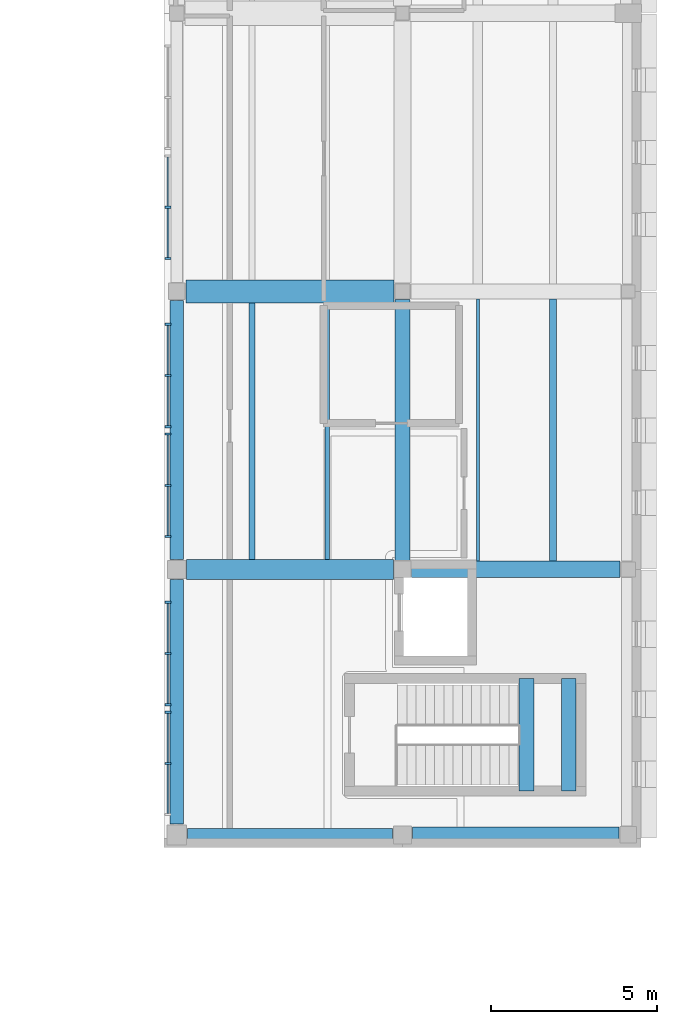
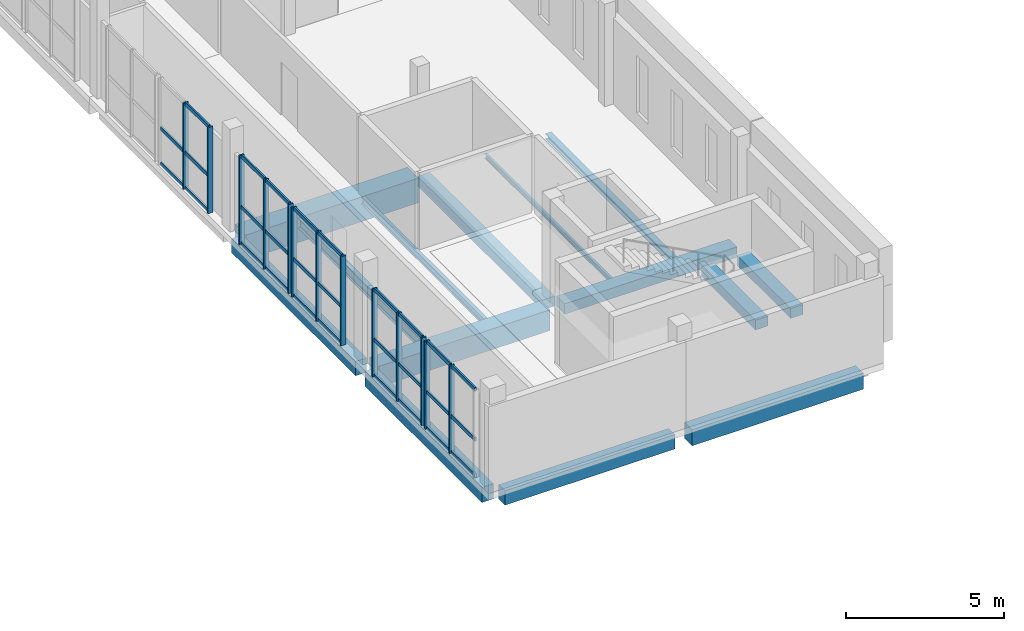
# One storey, part 24 of 56: 42 members, 14 beams, 5 elements without a shape of their own.
"""IFC4 building model written with IfcOpenShell, lengths in metres."""

from ifc_helpers import new_model, si_unit, direction, frame, origin, origin_2d, place, context, subcontext, project, spatial, rectangle, i_section, extrude, material, layer, layer_set, material_profile, profile_set, type_object, element, aggregate, save


model = new_model("IFC4")

# Units and contexts
model_context = context("Model", 3, precision=1e-05, world=origin(), true_north=direction((0.0, 1.0)))
body_context = subcontext(model_context, "Body", "Model", "MODEL_VIEW")
ifc_project = project(units=[si_unit("LENGTHUNIT", "METRE"), si_unit("AREAUNIT", "SQUARE_METRE"), si_unit("VOLUMEUNIT", "CUBIC_METRE"), si_unit("PLANEANGLEUNIT", "RADIAN"), si_unit("MASSUNIT", "GRAM", prefix="KILO")], contexts=[model_context])

# Site, building, storey
site_placement = place(None, origin())
site = spatial("IfcSite", under=ifc_project, at=site_placement, CompositionType="ELEMENT")
building_placement = place(site_placement, origin())
building = spatial("IfcBuilding", under=site, at=building_placement, Name="Vardoun Plaza Health Centre", CompositionType="ELEMENT")
storey_placement = place(building_placement, frame((0.0, 0.0, 8.699951171875)))
storey = spatial("IfcBuildingStorey", under=building, at=storey_placement, Name="L02", CompositionType="ELEMENT", Elevation=8.699951171875)

# Beams
ifc_material_1 = material(Name="Concrete C35/45", Category="concrete")
ifc_material_profile_1 = material_profile(ifc_material_1, rectangle(XDim=0.39990234375, YDim=0.550048828125, at=origin_2d()), Name="RC-BM 400x550")
ifc_profile_set_1 = profile_set([ifc_material_profile_1], Name="Concrete C35/45")
beam_type_1 = type_object("IfcBeamType", Name="B-09", PredefinedType="SPANDREL", material=ifc_profile_set_1)
beam_1_placement = place(storey_placement, frame((151.60498046875, 36.679931640625, -0.52490234375), z_axis=(1.0, 0.0, 0.0), x_axis=(0.0, 1.0, 0.0)))
element("IfcBeam", 1, at=beam_1_placement, inside=storey, type_object=beam_type_1, Name="V6 L02 Beam B-V6-L02-X01", PredefinedType="SPANDREL", context=body_context, shape_type="SweptSolid", body=[
    extrude(rectangle(XDim=0.39990234375, YDim=0.550048828125, at=origin_2d()), origin(), (0.0, 0.0, 1.0), 6.195068359375),
])
beam_2_placement = place(storey_placement, frame((151.280029296875, 45.0, -0.52490234375), z_axis=(0.0, 1.0, 0.0), x_axis=(-1.0, 0.0, 0.0)))
element("IfcBeam", 2, at=beam_2_placement, inside=storey, type_object=beam_type_1, Name="V6 L02 Beam B-V6-L02-Y16", PredefinedType="SPANDREL", context=body_context, shape_type="SweptSolid", body=[
    extrude(rectangle(XDim=0.39990234375, YDim=0.550048828125, at=origin_2d()), origin(), (0.0, 0.0, 1.0), 7.824951171875),
])
ifc_material_2 = material(Name="Concrete C35/45", Category="concrete")
ifc_material_profile_2 = material_profile(ifc_material_2, rectangle(XDim=0.419921875, YDim=0.580078125, at=origin_2d()), Name="RC-BM 420x580")
ifc_profile_set_2 = profile_set([ifc_material_profile_2], Name="Concrete C35/45")
beam_type_2 = type_object("IfcBeamType", Name="B-10", PredefinedType="SPANDREL", material=ifc_profile_set_2)
beam_3_placement = place(storey_placement, frame((151.280029296875, 37.0048828125, -0.5400390625), z_axis=(0.0, 1.0, 0.0), x_axis=(-1.0, 0.0, 0.0)))
element("IfcBeam", 3, at=beam_3_placement, inside=storey, type_object=beam_type_2, Name="V6 L02 Beam B-V6-L02-Y15", PredefinedType="SPANDREL", context=body_context, shape_type="SweptSolid", body=[
    extrude(rectangle(XDim=0.419921875, YDim=0.580078125, at=origin_2d()), origin(), (0.0, 0.0, 1.0), 7.395263671875),
])
ifc_material_3 = material(Name="Concrete C35/45", Category="concrete")
ifc_material_profile_3 = material_profile(ifc_material_3, rectangle(XDim=0.449951171875, YDim=0.3798828125, at=origin_2d()), Name="RC-BM 450x380")
ifc_profile_set_3 = profile_set([ifc_material_profile_3], Name="Concrete C35/45")
beam_type_3 = type_object("IfcBeamType", Name="B-01", PredefinedType="BEAM", material=ifc_profile_set_3)
beam_4_placement = place(storey_placement, frame((158.10009765625, 44.97509765625, -0.43994140625), z_axis=(0.0, 1.0, 0.0), x_axis=(-1.0, 0.0, 0.0)))
element("IfcBeam", 4, at=beam_4_placement, inside=storey, type_object=beam_type_3, Name="V6 L02 Beam B-V6-L02-Y21", PredefinedType="BEAM", context=body_context, shape_type="SweptSolid", body=[
    extrude(rectangle(XDim=0.449951171875, YDim=0.3798828125, at=origin_2d()), origin(), (0.0, 0.0, 1.0), 7.875),
])
for number, where, z_axis, x_axis, name in (
    (5, (161.840087890625, 38.0, 1.7099609375), (0.0, 1.0, 0.0), (-1.0, 0.0, 0.0), "Stair ST-C10-L02 Landing Beam 1"),
    (6, (163.1201171875, 38.0, 1.7099609375), (0.0, 1.0, 0.0), (-1.0, 0.0, 0.0), "Stair ST-C10-L02 Landing Beam 2"),
):
    element("IfcBeam", number, at=place(storey_placement, frame(where, z_axis=z_axis, x_axis=x_axis)), inside=storey, type_object=beam_type_3, Name=name, PredefinedType="BEAM", context=body_context, shape_type="SweptSolid", body=[
        extrude(rectangle(XDim=0.449951171875, YDim=0.3798828125, at=origin_2d()), origin(), (0.0, 0.0, 1.0), 3.400146484375),
    ])
ifc_material_4 = material(Name="Concrete C35/45", Category="concrete")
ifc_material_profile_4 = material_profile(ifc_material_4, rectangle(XDim=0.47998046875, YDim=0.6201171875, at=origin_2d()), Name="RC-BM 480x620")
ifc_profile_set_4 = profile_set([ifc_material_profile_4], Name="Concrete C35/45")
beam_type_4 = type_object("IfcBeamType", Name="B-12", PredefinedType="SPANDREL", material=ifc_profile_set_4)
beam_5_placement = place(storey_placement, frame((158.39990234375, 36.679931640625, -0.56005859375), z_axis=(1.0, 0.0, 0.0), x_axis=(0.0, 1.0, 0.0)))
element("IfcBeam", 7, at=beam_5_placement, inside=storey, type_object=beam_type_4, Name="V6 L02 Beam B-V6-L02-X08", PredefinedType="SPANDREL", context=body_context, shape_type="SweptSolid", body=[
    extrude(rectangle(XDim=0.47998046875, YDim=0.6201171875, at=origin_2d()), origin(), (0.0, 0.0, 1.0), 6.2451171875),
])
ifc_material_5 = material(Name="Concrete C35/45", Category="concrete")
ifc_material_profile_5 = material_profile(ifc_material_5, rectangle(XDim=0.5, YDim=0.39990234375, at=origin_2d()), Name="RC-BM 500x400")
ifc_profile_set_5 = profile_set([ifc_material_profile_5], Name="Concrete C35/45")
beam_type_5 = type_object("IfcBeamType", Name="B-02", PredefinedType="BEAM", material=ifc_profile_set_5)
beam_6_placement = place(storey_placement, frame((158.375, 44.699951171875, -0.449951171875), z_axis=(1.0, 0.0, 0.0), x_axis=(0.0, 1.0, 0.0)))
element("IfcBeam", 8, at=beam_6_placement, inside=storey, type_object=beam_type_5, Name="V6 L02 Beam B-V6-L02-X09", PredefinedType="BEAM", context=body_context, shape_type="SweptSolid", body=[
    extrude(rectangle(XDim=0.5, YDim=0.39990234375, at=origin_2d()), origin(), (0.0, 0.0, 1.0), 6.294921875),
])
ifc_material_6 = material(Name="Concrete C40/50", Category="concrete")
ifc_material_profile_6 = material_profile(ifc_material_6, rectangle(XDim=0.60009765625, YDim=0.800048828125, at=origin_2d()), Name="RC-BM 600x800")
ifc_profile_set_6 = profile_set([ifc_material_profile_6], Name="Concrete C40/50")
beam_type_6 = type_object("IfcBeamType", Name="B-15", PredefinedType="JOIST", material=ifc_profile_set_6)
beam_7_placement = place(storey_placement, frame((151.580078125, 44.699951171875, -0.64990234375), z_axis=(1.0, 0.0, 0.0), x_axis=(0.0, 1.0, 0.0)))
element("IfcBeam", 9, at=beam_7_placement, inside=storey, type_object=beam_type_6, Name="V6 L02 Beam B-V6-L02-X02", PredefinedType="JOIST", context=body_context, shape_type="SweptSolid", body=[
    extrude(rectangle(XDim=0.60009765625, YDim=0.800048828125, at=origin_2d()), origin(), (0.0, 0.0, 1.0), 6.244873046875),
])
ifc_material_7 = material(Name="Concrete C40/50", Category="concrete")
ifc_material_profile_7 = material_profile(ifc_material_7, rectangle(XDim=0.699951171875, YDim=0.949951171875, at=origin_2d()), Name="RC-BM 700x950")
ifc_profile_set_7 = profile_set([ifc_material_profile_7], Name="Concrete C40/50")
beam_type_7 = type_object("IfcBeamType", Name="B-16", PredefinedType="LINTEL", material=ifc_profile_set_7)
beam_8_placement = place(storey_placement, frame((151.554931640625, 53.10009765625, -0.724853515625), z_axis=(1.0, 0.0, 0.0), x_axis=(0.0, 1.0, 0.0)))
element("IfcBeam", 10, at=beam_8_placement, inside=storey, type_object=beam_type_7, Name="V6 L02 Beam B-V6-L02-X03", PredefinedType="LINTEL", context=body_context, shape_type="SweptSolid", body=[
    extrude(rectangle(XDim=0.699951171875, YDim=0.949951171875, at=origin_2d()), origin(), (0.0, 0.0, 1.0), 6.295166015625),
])
ifc_material_8 = material(Name="Steel S355J2", Category="steel")
ifc_material_profile_8 = material_profile(ifc_material_8, i_section(OverallWidth=0.219970703125, OverallDepth=0.2099609375, WebThickness=0.007080078125, FlangeThickness=0.010986328125, FilletRadius=0.01806640625, at=origin_2d()), Name="HEA 220")
ifc_profile_set_8 = profile_set([ifc_material_profile_8], Name="Steel S355J2")
beam_type_8 = type_object("IfcBeamType", Name="SB-08", PredefinedType="BEAM", material=ifc_profile_set_8)
beam_9_placement = place(storey_placement, frame((162.64697265625, 44.949951171875, -0.35498046875), z_axis=(0.0, 1.0, 0.0), x_axis=(-1.0, 0.0, 0.0)))
element("IfcBeam", 11, at=beam_9_placement, inside=storey, type_object=beam_type_8, Name="V6 L02 Secondary Floor Beam SJ-V6-L02-13", PredefinedType="BEAM", context=body_context, shape_type="SweptSolid", body=[
    extrude(i_section(OverallWidth=0.219970703125, OverallDepth=0.2099609375, WebThickness=0.007080078125, FlangeThickness=0.010986328125, FilletRadius=0.01806640625, at=origin_2d()), origin(), (0.0, 0.0, 1.0), 7.925048828125),
])
ifc_material_9 = material(Name="Steel S355J2", Category="steel")
ifc_material_profile_9 = material_profile(ifc_material_9, i_section(OverallWidth=0.091064453125, OverallDepth=0.179931640625, WebThickness=0.00537109375, FlangeThickness=0.008056640625, FilletRadius=0.009033203125, at=origin_2d()), Name="IPE 180")
ifc_profile_set_9 = profile_set([ifc_material_profile_9], Name="Steel S355J2")
beam_type_9 = type_object("IfcBeamType", Name="SB-20", PredefinedType="SPANDREL", material=ifc_profile_set_9)
beam_10_placement = place(storey_placement, frame((160.373046875, 44.949951171875, -0.33984375), z_axis=(0.0, 1.0, 0.0), x_axis=(-1.0, 0.0, 0.0)))
element("IfcBeam", 12, at=beam_10_placement, inside=storey, type_object=beam_type_9, Name="V6 L02 Secondary Floor Beam SJ-V6-L02-09", PredefinedType="SPANDREL", context=body_context, shape_type="SweptSolid", body=[
    extrude(i_section(OverallWidth=0.091064453125, OverallDepth=0.179931640625, WebThickness=0.00537109375, FlangeThickness=0.008056640625, FilletRadius=0.009033203125, at=origin_2d()), origin(), (0.0, 0.0, 1.0), 7.925048828125),
])
ifc_material_10 = material(Name="Steel S355J2", Category="steel")
ifc_material_profile_10 = material_profile(ifc_material_10, i_section(OverallWidth=0.135009765625, OverallDepth=0.27001953125, WebThickness=0.006591796875, FlangeThickness=0.01025390625, FilletRadius=0.014892578125, at=origin_2d()), Name="IPE 270")
ifc_profile_set_10 = profile_set([ifc_material_profile_10], Name="Steel S355J2")
beam_type_10 = type_object("IfcBeamType", Name="SB-16", PredefinedType="JOIST", material=ifc_profile_set_10)
beam_11_placement = place(storey_placement, frame((155.826904296875, 45.0, -0.385009765625), z_axis=(0.0, 1.0, 0.0), x_axis=(-1.0, 0.0, 0.0)))
element("IfcBeam", 13, at=beam_11_placement, inside=storey, type_object=beam_type_10, Name="V6 L02 Secondary Floor Beam SJ-V6-L02-05", PredefinedType="JOIST", context=body_context, shape_type="SweptSolid", body=[
    extrude(i_section(OverallWidth=0.135009765625, OverallDepth=0.27001953125, WebThickness=0.006591796875, FlangeThickness=0.01025390625, FilletRadius=0.014892578125, at=origin_2d()), origin(), (0.0, 0.0, 1.0), 7.75),
])
ifc_material_11 = material(Name="Steel S355J2", Category="steel")
ifc_material_profile_11 = material_profile(ifc_material_11, i_section(OverallWidth=0.179931640625, OverallDepth=0.39990234375, WebThickness=0.008544921875, FlangeThickness=0.013427734375, FilletRadius=0.02099609375, at=origin_2d()), Name="IPE 400")
ifc_profile_set_11 = profile_set([ifc_material_profile_11], Name="Steel S355J2")
beam_type_11 = type_object("IfcBeamType", Name="SB-12", PredefinedType="BEAM", material=ifc_profile_set_11)
beam_12_placement = place(storey_placement, frame((153.552978515625, 45.0, -0.449951171875), z_axis=(0.0, 1.0, 0.0), x_axis=(-1.0, 0.0, 0.0)))
element("IfcBeam", 14, at=beam_12_placement, inside=storey, type_object=beam_type_11, Name="V6 L02 Secondary Floor Beam SJ-V6-L02-01", PredefinedType="BEAM", context=body_context, shape_type="SweptSolid", body=[
    extrude(i_section(OverallWidth=0.179931640625, OverallDepth=0.39990234375, WebThickness=0.008544921875, FlangeThickness=0.013427734375, FilletRadius=0.02099609375, at=origin_2d()), origin(), (0.0, 0.0, 1.0), 7.75),
])

# Curtain wall, members
ifc_material_12 = material(Name="Aluminium Alloy EN AW-6063-T6 and Low-E Glass", Category="aluminium")
ifc_layer = layer(ifc_material_12, 0.179931640625)
ifc_layer_set = layer_set([ifc_layer], Name="Aluminium Alloy EN AW-6063-T6 and Low-E Glass")
curtain_wall_type = type_object("IfcCurtainWallType", Name="CW-01", PredefinedType="USERDEFINED", material=ifc_layer_set)
curtain_wall_1_placement = place(storey_placement, origin())
curtain_wall_1 = element("IfcCurtainWall", 15, at=curtain_wall_1_placement, inside=storey, type_object=curtain_wall_type, Name="Curtain Wall CW-V6-215", ObjectType="CONCOURSE_CURTAIN_WALL", PredefinedType="USERDEFINED")
ifc_material_13 = material(Name="Aluminium Alloy EN AW-6063-T6", Category="aluminium")
ifc_material_profile_12 = material_profile(ifc_material_13, rectangle(XDim=0.179931640625, YDim=0.06494140625, at=origin_2d()), Name="CWM 65x180")
ifc_profile_set_12 = profile_set([ifc_material_profile_12], Name="Aluminium Alloy EN AW-6063-T6")
member_type_1 = type_object("IfcMemberType", Name="CW-M2", PredefinedType="MULLION", material=ifc_profile_set_12)
member_1_placement = place(storey_placement, frame((151.02001953125, 38.840087890625, 0.0), z_axis=(0.0, 0.0, 1.0), x_axis=(-1.0, 0.0, 0.0)))
member_1 = element("IfcMember", 16, at=member_1_placement, type_object=member_type_1, Name="CW-V6-215 mullion 2", PredefinedType="MULLION", context=body_context, shape_type="SweptSolid", body=[
    extrude(rectangle(XDim=0.179931640625, YDim=0.06494140625, at=origin_2d()), origin(), (0.0, 0.0, 1.0), 3.385009765625),
])
member_2_placement = place(storey_placement, frame((151.02001953125, 40.387451171875, 0.0), z_axis=(0.0, 0.0, 1.0), x_axis=(-1.0, 0.0, 0.0)))
member_2 = element("IfcMember", 17, at=member_2_placement, type_object=member_type_1, Name="CW-V6-215 mullion 3", PredefinedType="MULLION", context=body_context, shape_type="SweptSolid", body=[
    extrude(rectangle(XDim=0.179931640625, YDim=0.06494140625, at=origin_2d()), origin(), (0.0, 0.0, 1.0), 3.385009765625),
])

curtain_wall_2_placement = place(storey_placement, origin())
curtain_wall_2 = element("IfcCurtainWall", 18, at=curtain_wall_2_placement, inside=storey, type_object=curtain_wall_type, Name="Curtain Wall CW-V6-216", ObjectType="CONCOURSE_CURTAIN_WALL", PredefinedType="USERDEFINED")
member_3_placement = place(storey_placement, frame((151.02001953125, 40.612548828125, 0.0), z_axis=(0.0, 0.0, 1.0), x_axis=(-1.0, 0.0, 0.0)))
member_3 = element("IfcMember", 19, at=member_3_placement, type_object=member_type_1, Name="CW-V6-216 mullion 1", PredefinedType="MULLION", context=body_context, shape_type="SweptSolid", body=[
    extrude(rectangle(XDim=0.179931640625, YDim=0.06494140625, at=origin_2d()), origin(), (0.0, 0.0, 1.0), 3.385009765625),
])
member_4_placement = place(storey_placement, frame((151.02001953125, 42.159912109375, 0.0), z_axis=(0.0, 0.0, 1.0), x_axis=(-1.0, 0.0, 0.0)))
member_4 = element("IfcMember", 20, at=member_4_placement, type_object=member_type_1, Name="CW-V6-216 mullion 2", PredefinedType="MULLION", context=body_context, shape_type="SweptSolid", body=[
    extrude(rectangle(XDim=0.179931640625, YDim=0.06494140625, at=origin_2d()), origin(), (0.0, 0.0, 1.0), 3.385009765625),
])
member_5_placement = place(storey_placement, frame((151.02001953125, 43.70751953125, 0.0), z_axis=(0.0, 0.0, 1.0), x_axis=(-1.0, 0.0, 0.0)))
member_5 = element("IfcMember", 21, at=member_5_placement, type_object=member_type_1, Name="CW-V6-216 mullion 3", PredefinedType="MULLION", context=body_context, shape_type="SweptSolid", body=[
    extrude(rectangle(XDim=0.179931640625, YDim=0.06494140625, at=origin_2d()), origin(), (0.0, 0.0, 1.0), 3.385009765625),
])

curtain_wall_3_placement = place(storey_placement, origin())
curtain_wall_3 = element("IfcCurtainWall", 22, at=curtain_wall_3_placement, inside=storey, type_object=curtain_wall_type, Name="Curtain Wall CW-V6-217", ObjectType="CONCOURSE_CURTAIN_WALL", PredefinedType="USERDEFINED")
member_6_placement = place(storey_placement, frame((151.02001953125, 45.6923828125, 0.0), z_axis=(0.0, 0.0, 1.0), x_axis=(-1.0, 0.0, 0.0)))
member_6 = element("IfcMember", 23, at=member_6_placement, type_object=member_type_1, Name="CW-V6-217 mullion 1", PredefinedType="MULLION", context=body_context, shape_type="SweptSolid", body=[
    extrude(rectangle(XDim=0.179931640625, YDim=0.06494140625, at=origin_2d()), origin(), (0.0, 0.0, 1.0), 3.43505859375),
])
member_7_placement = place(storey_placement, frame((151.02001953125, 47.239990234375, 0.0), z_axis=(0.0, 0.0, 1.0), x_axis=(-1.0, 0.0, 0.0)))
member_7 = element("IfcMember", 24, at=member_7_placement, type_object=member_type_1, Name="CW-V6-217 mullion 2", PredefinedType="MULLION", context=body_context, shape_type="SweptSolid", body=[
    extrude(rectangle(XDim=0.179931640625, YDim=0.06494140625, at=origin_2d()), origin(), (0.0, 0.0, 1.0), 3.43505859375),
])
member_8_placement = place(storey_placement, frame((151.02001953125, 48.78759765625, 0.0), z_axis=(0.0, 0.0, 1.0), x_axis=(-1.0, 0.0, 0.0)))
member_8 = element("IfcMember", 25, at=member_8_placement, type_object=member_type_1, Name="CW-V6-217 mullion 3", PredefinedType="MULLION", context=body_context, shape_type="SweptSolid", body=[
    extrude(rectangle(XDim=0.179931640625, YDim=0.06494140625, at=origin_2d()), origin(), (0.0, 0.0, 1.0), 3.43505859375),
])

curtain_wall_4_placement = place(storey_placement, origin())
curtain_wall_4 = element("IfcCurtainWall", 26, at=curtain_wall_4_placement, inside=storey, type_object=curtain_wall_type, Name="Curtain Wall CW-V6-218", ObjectType="CONCOURSE_CURTAIN_WALL", PredefinedType="USERDEFINED")
member_9_placement = place(storey_placement, frame((151.02001953125, 49.012451171875, 0.0), z_axis=(0.0, 0.0, 1.0), x_axis=(-1.0, 0.0, 0.0)))
member_9 = element("IfcMember", 27, at=member_9_placement, type_object=member_type_1, Name="CW-V6-218 mullion 1", PredefinedType="MULLION", context=body_context, shape_type="SweptSolid", body=[
    extrude(rectangle(XDim=0.179931640625, YDim=0.06494140625, at=origin_2d()), origin(), (0.0, 0.0, 1.0), 3.43505859375),
])
member_10_placement = place(storey_placement, frame((151.02001953125, 50.56005859375, 0.0), z_axis=(0.0, 0.0, 1.0), x_axis=(-1.0, 0.0, 0.0)))
member_10 = element("IfcMember", 28, at=member_10_placement, type_object=member_type_1, Name="CW-V6-218 mullion 2", PredefinedType="MULLION", context=body_context, shape_type="SweptSolid", body=[
    extrude(rectangle(XDim=0.179931640625, YDim=0.06494140625, at=origin_2d()), origin(), (0.0, 0.0, 1.0), 3.43505859375),
])
member_11_placement = place(storey_placement, frame((151.02001953125, 52.107421875, 0.0), z_axis=(0.0, 0.0, 1.0), x_axis=(-1.0, 0.0, 0.0)))
member_11 = element("IfcMember", 29, at=member_11_placement, type_object=member_type_1, Name="CW-V6-218 mullion 3", PredefinedType="MULLION", context=body_context, shape_type="SweptSolid", body=[
    extrude(rectangle(XDim=0.179931640625, YDim=0.06494140625, at=origin_2d()), origin(), (0.0, 0.0, 1.0), 3.43505859375),
])

curtain_wall_5_placement = place(storey_placement, origin())
curtain_wall_5 = element("IfcCurtainWall", 30, at=curtain_wall_5_placement, inside=storey, type_object=curtain_wall_type, Name="Curtain Wall CW-V6-219", ObjectType="CONCOURSE_CURTAIN_WALL", PredefinedType="USERDEFINED")
member_12_placement = place(storey_placement, frame((151.02001953125, 54.092529296875, 0.0), z_axis=(0.0, 0.0, 1.0), x_axis=(-1.0, 0.0, 0.0)))
member_12 = element("IfcMember", 31, at=member_12_placement, type_object=member_type_1, Name="CW-V6-219 mullion 1", PredefinedType="MULLION", context=body_context, shape_type="SweptSolid", body=[
    extrude(rectangle(XDim=0.179931640625, YDim=0.06494140625, at=origin_2d()), origin(), (0.0, 0.0, 1.0), 3.31494140625),
])
member_13_placement = place(storey_placement, frame((151.02001953125, 55.639892578125, 0.0), z_axis=(0.0, 0.0, 1.0), x_axis=(-1.0, 0.0, 0.0)))
member_13 = element("IfcMember", 32, at=member_13_placement, type_object=member_type_1, Name="CW-V6-219 mullion 2", PredefinedType="MULLION", context=body_context, shape_type="SweptSolid", body=[
    extrude(rectangle(XDim=0.179931640625, YDim=0.06494140625, at=origin_2d()), origin(), (0.0, 0.0, 1.0), 3.31494140625),
])

# Member
ifc_material_14 = material(Name="Aluminium Alloy EN AW-6063-T6", Category="aluminium")
ifc_material_profile_13 = material_profile(ifc_material_14, rectangle(XDim=0.06494140625, YDim=0.139892578125, at=origin_2d()), Name="CWT 65x140")
ifc_profile_set_13 = profile_set([ifc_material_profile_13], Name="Aluminium Alloy EN AW-6063-T6")
member_type_2 = type_object("IfcMemberType", Name="CW-T2", PredefinedType="USERDEFINED", material=ifc_profile_set_13)
member_14_placement = place(storey_placement, frame((151.02001953125, 37.324951171875, 0.032470703125), z_axis=(0.0, 1.0, 0.0), x_axis=(-1.0, 0.0, 0.0)))
member_14 = element("IfcMember", 33, at=member_14_placement, type_object=member_type_2, Name="CW-V6-215 transom 1.1", ObjectType="TRANSOM", PredefinedType="USERDEFINED", context=body_context, shape_type="SweptSolid", body=[
    extrude(rectangle(XDim=0.06494140625, YDim=0.139892578125, at=origin_2d()), origin(), (0.0, 0.0, 1.0), 1.482666015625),
])

member_15_placement = place(storey_placement, frame((151.02001953125, 37.324951171875, 1.421630859375), z_axis=(0.0, 1.0, 0.0), x_axis=(-1.0, 0.0, 0.0)))
member_15 = element("IfcMember", 34, at=member_15_placement, type_object=member_type_2, Name="CW-V6-215 transom 1.2", ObjectType="TRANSOM", PredefinedType="USERDEFINED", context=body_context, shape_type="SweptSolid", body=[
    extrude(rectangle(XDim=0.06494140625, YDim=0.139892578125, at=origin_2d()), origin(), (0.0, 0.0, 1.0), 1.482666015625),
])

member_16_placement = place(storey_placement, frame((151.02001953125, 37.324951171875, 3.3525390625), z_axis=(0.0, 1.0, 0.0), x_axis=(-1.0, 0.0, 0.0)))
member_16 = element("IfcMember", 35, at=member_16_placement, type_object=member_type_2, Name="CW-V6-215 transom 1.3", ObjectType="TRANSOM", PredefinedType="USERDEFINED", context=body_context, shape_type="SweptSolid", body=[
    extrude(rectangle(XDim=0.06494140625, YDim=0.139892578125, at=origin_2d()), origin(), (0.0, 0.0, 1.0), 1.482666015625),
])

member_17_placement = place(storey_placement, frame((151.02001953125, 38.87255859375, 0.032470703125), z_axis=(0.0, 1.0, 0.0), x_axis=(-1.0, 0.0, 0.0)))
member_17 = element("IfcMember", 36, at=member_17_placement, type_object=member_type_2, Name="CW-V6-215 transom 2.1", ObjectType="TRANSOM", PredefinedType="USERDEFINED", context=body_context, shape_type="SweptSolid", body=[
    extrude(rectangle(XDim=0.06494140625, YDim=0.139892578125, at=origin_2d()), origin(), (0.0, 0.0, 1.0), 1.482421875),
])

member_18_placement = place(storey_placement, frame((151.02001953125, 38.87255859375, 1.421630859375), z_axis=(0.0, 1.0, 0.0), x_axis=(-1.0, 0.0, 0.0)))
member_18 = element("IfcMember", 37, at=member_18_placement, type_object=member_type_2, Name="CW-V6-215 transom 2.2", ObjectType="TRANSOM", PredefinedType="USERDEFINED", context=body_context, shape_type="SweptSolid", body=[
    extrude(rectangle(XDim=0.06494140625, YDim=0.139892578125, at=origin_2d()), origin(), (0.0, 0.0, 1.0), 1.482421875),
])

member_19_placement = place(storey_placement, frame((151.02001953125, 38.87255859375, 3.3525390625), z_axis=(0.0, 1.0, 0.0), x_axis=(-1.0, 0.0, 0.0)))
member_19 = element("IfcMember", 38, at=member_19_placement, type_object=member_type_2, Name="CW-V6-215 transom 2.3", ObjectType="TRANSOM", PredefinedType="USERDEFINED", context=body_context, shape_type="SweptSolid", body=[
    extrude(rectangle(XDim=0.06494140625, YDim=0.139892578125, at=origin_2d()), origin(), (0.0, 0.0, 1.0), 1.482421875),
])

aggregate(curtain_wall_1, [member_1, member_2, member_14, member_15, member_16, member_17, member_18, member_19])

member_20_placement = place(storey_placement, frame((151.02001953125, 40.64501953125, 0.032470703125), z_axis=(0.0, 1.0, 0.0), x_axis=(-1.0, 0.0, 0.0)))
member_20 = element("IfcMember", 39, at=member_20_placement, type_object=member_type_2, Name="CW-V6-216 transom 1.1", ObjectType="TRANSOM", PredefinedType="USERDEFINED", context=body_context, shape_type="SweptSolid", body=[
    extrude(rectangle(XDim=0.06494140625, YDim=0.139892578125, at=origin_2d()), origin(), (0.0, 0.0, 1.0), 1.482421875),
])

member_21_placement = place(storey_placement, frame((151.02001953125, 40.64501953125, 1.421630859375), z_axis=(0.0, 1.0, 0.0), x_axis=(-1.0, 0.0, 0.0)))
member_21 = element("IfcMember", 40, at=member_21_placement, type_object=member_type_2, Name="CW-V6-216 transom 1.2", ObjectType="TRANSOM", PredefinedType="USERDEFINED", context=body_context, shape_type="SweptSolid", body=[
    extrude(rectangle(XDim=0.06494140625, YDim=0.139892578125, at=origin_2d()), origin(), (0.0, 0.0, 1.0), 1.482421875),
])

member_22_placement = place(storey_placement, frame((151.02001953125, 40.64501953125, 3.3525390625), z_axis=(0.0, 1.0, 0.0), x_axis=(-1.0, 0.0, 0.0)))
member_22 = element("IfcMember", 41, at=member_22_placement, type_object=member_type_2, Name="CW-V6-216 transom 1.3", ObjectType="TRANSOM", PredefinedType="USERDEFINED", context=body_context, shape_type="SweptSolid", body=[
    extrude(rectangle(XDim=0.06494140625, YDim=0.139892578125, at=origin_2d()), origin(), (0.0, 0.0, 1.0), 1.482421875),
])

member_23_placement = place(storey_placement, frame((151.02001953125, 42.1923828125, 0.032470703125), z_axis=(0.0, 1.0, 0.0), x_axis=(-1.0, 0.0, 0.0)))
member_23 = element("IfcMember", 42, at=member_23_placement, type_object=member_type_2, Name="CW-V6-216 transom 2.1", ObjectType="TRANSOM", PredefinedType="USERDEFINED", context=body_context, shape_type="SweptSolid", body=[
    extrude(rectangle(XDim=0.06494140625, YDim=0.139892578125, at=origin_2d()), origin(), (0.0, 0.0, 1.0), 1.482666015625),
])

member_24_placement = place(storey_placement, frame((151.02001953125, 42.1923828125, 1.421630859375), z_axis=(0.0, 1.0, 0.0), x_axis=(-1.0, 0.0, 0.0)))
member_24 = element("IfcMember", 43, at=member_24_placement, type_object=member_type_2, Name="CW-V6-216 transom 2.2", ObjectType="TRANSOM", PredefinedType="USERDEFINED", context=body_context, shape_type="SweptSolid", body=[
    extrude(rectangle(XDim=0.06494140625, YDim=0.139892578125, at=origin_2d()), origin(), (0.0, 0.0, 1.0), 1.482666015625),
])

member_25_placement = place(storey_placement, frame((151.02001953125, 42.1923828125, 3.3525390625), z_axis=(0.0, 1.0, 0.0), x_axis=(-1.0, 0.0, 0.0)))
member_25 = element("IfcMember", 44, at=member_25_placement, type_object=member_type_2, Name="CW-V6-216 transom 2.3", ObjectType="TRANSOM", PredefinedType="USERDEFINED", context=body_context, shape_type="SweptSolid", body=[
    extrude(rectangle(XDim=0.06494140625, YDim=0.139892578125, at=origin_2d()), origin(), (0.0, 0.0, 1.0), 1.482666015625),
])

aggregate(curtain_wall_2, [member_3, member_4, member_5, member_20, member_21, member_22, member_23, member_24, member_25])

member_26_placement = place(storey_placement, frame((151.02001953125, 45.72509765625, 0.032470703125), z_axis=(0.0, 1.0, 0.0), x_axis=(-1.0, 0.0, 0.0)))
member_26 = element("IfcMember", 45, at=member_26_placement, type_object=member_type_2, Name="CW-V6-217 transom 1.1", ObjectType="TRANSOM", PredefinedType="USERDEFINED", context=body_context, shape_type="SweptSolid", body=[
    extrude(rectangle(XDim=0.06494140625, YDim=0.139892578125, at=origin_2d()), origin(), (0.0, 0.0, 1.0), 1.482421875),
])

member_27_placement = place(storey_placement, frame((151.02001953125, 45.72509765625, 1.442626953125), z_axis=(0.0, 1.0, 0.0), x_axis=(-1.0, 0.0, 0.0)))
member_27 = element("IfcMember", 46, at=member_27_placement, type_object=member_type_2, Name="CW-V6-217 transom 1.2", ObjectType="TRANSOM", PredefinedType="USERDEFINED", context=body_context, shape_type="SweptSolid", body=[
    extrude(rectangle(XDim=0.06494140625, YDim=0.139892578125, at=origin_2d()), origin(), (0.0, 0.0, 1.0), 1.482421875),
])

member_28_placement = place(storey_placement, frame((151.02001953125, 45.72509765625, 3.402587890625), z_axis=(0.0, 1.0, 0.0), x_axis=(-1.0, 0.0, 0.0)))
member_28 = element("IfcMember", 47, at=member_28_placement, type_object=member_type_2, Name="CW-V6-217 transom 1.3", ObjectType="TRANSOM", PredefinedType="USERDEFINED", context=body_context, shape_type="SweptSolid", body=[
    extrude(rectangle(XDim=0.06494140625, YDim=0.139892578125, at=origin_2d()), origin(), (0.0, 0.0, 1.0), 1.482421875),
])

member_29_placement = place(storey_placement, frame((151.02001953125, 47.2724609375, 0.032470703125), z_axis=(0.0, 1.0, 0.0), x_axis=(-1.0, 0.0, 0.0)))
member_29 = element("IfcMember", 48, at=member_29_placement, type_object=member_type_2, Name="CW-V6-217 transom 2.1", ObjectType="TRANSOM", PredefinedType="USERDEFINED", context=body_context, shape_type="SweptSolid", body=[
    extrude(rectangle(XDim=0.06494140625, YDim=0.139892578125, at=origin_2d()), origin(), (0.0, 0.0, 1.0), 1.482421875),
])

member_30_placement = place(storey_placement, frame((151.02001953125, 47.2724609375, 1.442626953125), z_axis=(0.0, 1.0, 0.0), x_axis=(-1.0, 0.0, 0.0)))
member_30 = element("IfcMember", 49, at=member_30_placement, type_object=member_type_2, Name="CW-V6-217 transom 2.2", ObjectType="TRANSOM", PredefinedType="USERDEFINED", context=body_context, shape_type="SweptSolid", body=[
    extrude(rectangle(XDim=0.06494140625, YDim=0.139892578125, at=origin_2d()), origin(), (0.0, 0.0, 1.0), 1.482421875),
])

member_31_placement = place(storey_placement, frame((151.02001953125, 47.2724609375, 3.402587890625), z_axis=(0.0, 1.0, 0.0), x_axis=(-1.0, 0.0, 0.0)))
member_31 = element("IfcMember", 50, at=member_31_placement, type_object=member_type_2, Name="CW-V6-217 transom 2.3", ObjectType="TRANSOM", PredefinedType="USERDEFINED", context=body_context, shape_type="SweptSolid", body=[
    extrude(rectangle(XDim=0.06494140625, YDim=0.139892578125, at=origin_2d()), origin(), (0.0, 0.0, 1.0), 1.482421875),
])

aggregate(curtain_wall_3, [member_6, member_7, member_8, member_26, member_27, member_28, member_29, member_30, member_31])

member_32_placement = place(storey_placement, frame((151.02001953125, 49.044921875, 0.032470703125), z_axis=(0.0, 1.0, 0.0), x_axis=(-1.0, 0.0, 0.0)))
member_32 = element("IfcMember", 51, at=member_32_placement, type_object=member_type_2, Name="CW-V6-218 transom 1.1", ObjectType="TRANSOM", PredefinedType="USERDEFINED", context=body_context, shape_type="SweptSolid", body=[
    extrude(rectangle(XDim=0.06494140625, YDim=0.139892578125, at=origin_2d()), origin(), (0.0, 0.0, 1.0), 1.482666015625),
])

member_33_placement = place(storey_placement, frame((151.02001953125, 49.044921875, 1.442626953125), z_axis=(0.0, 1.0, 0.0), x_axis=(-1.0, 0.0, 0.0)))
member_33 = element("IfcMember", 52, at=member_33_placement, type_object=member_type_2, Name="CW-V6-218 transom 1.2", ObjectType="TRANSOM", PredefinedType="USERDEFINED", context=body_context, shape_type="SweptSolid", body=[
    extrude(rectangle(XDim=0.06494140625, YDim=0.139892578125, at=origin_2d()), origin(), (0.0, 0.0, 1.0), 1.482666015625),
])

member_34_placement = place(storey_placement, frame((151.02001953125, 49.044921875, 3.402587890625), z_axis=(0.0, 1.0, 0.0), x_axis=(-1.0, 0.0, 0.0)))
member_34 = element("IfcMember", 53, at=member_34_placement, type_object=member_type_2, Name="CW-V6-218 transom 1.3", ObjectType="TRANSOM", PredefinedType="USERDEFINED", context=body_context, shape_type="SweptSolid", body=[
    extrude(rectangle(XDim=0.06494140625, YDim=0.139892578125, at=origin_2d()), origin(), (0.0, 0.0, 1.0), 1.482666015625),
])

member_35_placement = place(storey_placement, frame((151.02001953125, 50.592529296875, 0.032470703125), z_axis=(0.0, 1.0, 0.0), x_axis=(-1.0, 0.0, 0.0)))
member_35 = element("IfcMember", 54, at=member_35_placement, type_object=member_type_2, Name="CW-V6-218 transom 2.1", ObjectType="TRANSOM", PredefinedType="USERDEFINED", context=body_context, shape_type="SweptSolid", body=[
    extrude(rectangle(XDim=0.06494140625, YDim=0.139892578125, at=origin_2d()), origin(), (0.0, 0.0, 1.0), 1.482421875),
])

member_36_placement = place(storey_placement, frame((151.02001953125, 50.592529296875, 1.442626953125), z_axis=(0.0, 1.0, 0.0), x_axis=(-1.0, 0.0, 0.0)))
member_36 = element("IfcMember", 55, at=member_36_placement, type_object=member_type_2, Name="CW-V6-218 transom 2.2", ObjectType="TRANSOM", PredefinedType="USERDEFINED", context=body_context, shape_type="SweptSolid", body=[
    extrude(rectangle(XDim=0.06494140625, YDim=0.139892578125, at=origin_2d()), origin(), (0.0, 0.0, 1.0), 1.482421875),
])

member_37_placement = place(storey_placement, frame((151.02001953125, 50.592529296875, 3.402587890625), z_axis=(0.0, 1.0, 0.0), x_axis=(-1.0, 0.0, 0.0)))
member_37 = element("IfcMember", 56, at=member_37_placement, type_object=member_type_2, Name="CW-V6-218 transom 2.3", ObjectType="TRANSOM", PredefinedType="USERDEFINED", context=body_context, shape_type="SweptSolid", body=[
    extrude(rectangle(XDim=0.06494140625, YDim=0.139892578125, at=origin_2d()), origin(), (0.0, 0.0, 1.0), 1.482421875),
])

aggregate(curtain_wall_4, [member_9, member_10, member_11, member_32, member_33, member_34, member_35, member_36, member_37])

member_38_placement = place(storey_placement, frame((151.02001953125, 54.125, 0.032470703125), z_axis=(0.0, 1.0, 0.0), x_axis=(-1.0, 0.0, 0.0)))
member_38 = element("IfcMember", 57, at=member_38_placement, type_object=member_type_2, Name="CW-V6-219 transom 1.1", ObjectType="TRANSOM", PredefinedType="USERDEFINED", context=body_context, shape_type="SweptSolid", body=[
    extrude(rectangle(XDim=0.06494140625, YDim=0.139892578125, at=origin_2d()), origin(), (0.0, 0.0, 1.0), 1.482421875),
])

member_39_placement = place(storey_placement, frame((151.02001953125, 54.125, 1.392333984375), z_axis=(0.0, 1.0, 0.0), x_axis=(-1.0, 0.0, 0.0)))
member_39 = element("IfcMember", 58, at=member_39_placement, type_object=member_type_2, Name="CW-V6-219 transom 1.2", ObjectType="TRANSOM", PredefinedType="USERDEFINED", context=body_context, shape_type="SweptSolid", body=[
    extrude(rectangle(XDim=0.06494140625, YDim=0.139892578125, at=origin_2d()), origin(), (0.0, 0.0, 1.0), 1.482421875),
])

member_40_placement = place(storey_placement, frame((151.02001953125, 54.125, 3.282470703125), z_axis=(0.0, 1.0, 0.0), x_axis=(-1.0, 0.0, 0.0)))
member_40 = element("IfcMember", 59, at=member_40_placement, type_object=member_type_2, Name="CW-V6-219 transom 1.3", ObjectType="TRANSOM", PredefinedType="USERDEFINED", context=body_context, shape_type="SweptSolid", body=[
    extrude(rectangle(XDim=0.06494140625, YDim=0.139892578125, at=origin_2d()), origin(), (0.0, 0.0, 1.0), 1.482421875),
])

member_41_placement = place(storey_placement, frame((151.02001953125, 55.672607421875, 0.032470703125), z_axis=(0.0, 1.0, 0.0), x_axis=(-1.0, 0.0, 0.0)))
member_41 = element("IfcMember", 60, at=member_41_placement, type_object=member_type_2, Name="CW-V6-219 transom 2.1", ObjectType="TRANSOM", PredefinedType="USERDEFINED", context=body_context, shape_type="SweptSolid", body=[
    extrude(rectangle(XDim=0.06494140625, YDim=0.139892578125, at=origin_2d()), origin(), (0.0, 0.0, 1.0), 1.482421875),
])

member_42_placement = place(storey_placement, frame((151.02001953125, 55.672607421875, 1.392333984375), z_axis=(0.0, 1.0, 0.0), x_axis=(-1.0, 0.0, 0.0)))
member_42 = element("IfcMember", 61, at=member_42_placement, type_object=member_type_2, Name="CW-V6-219 transom 2.2", ObjectType="TRANSOM", PredefinedType="USERDEFINED", context=body_context, shape_type="SweptSolid", body=[
    extrude(rectangle(XDim=0.06494140625, YDim=0.139892578125, at=origin_2d()), origin(), (0.0, 0.0, 1.0), 1.482421875),
])

aggregate(curtain_wall_5, [member_12, member_13, member_38, member_39, member_40, member_41, member_42])

save(model, "model.ifc")
